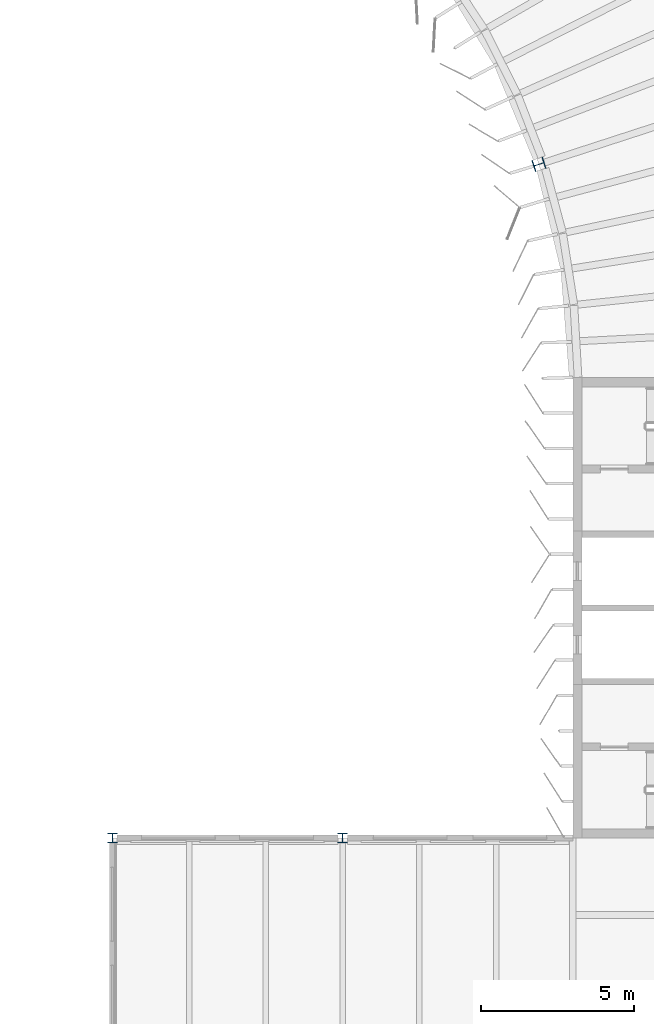
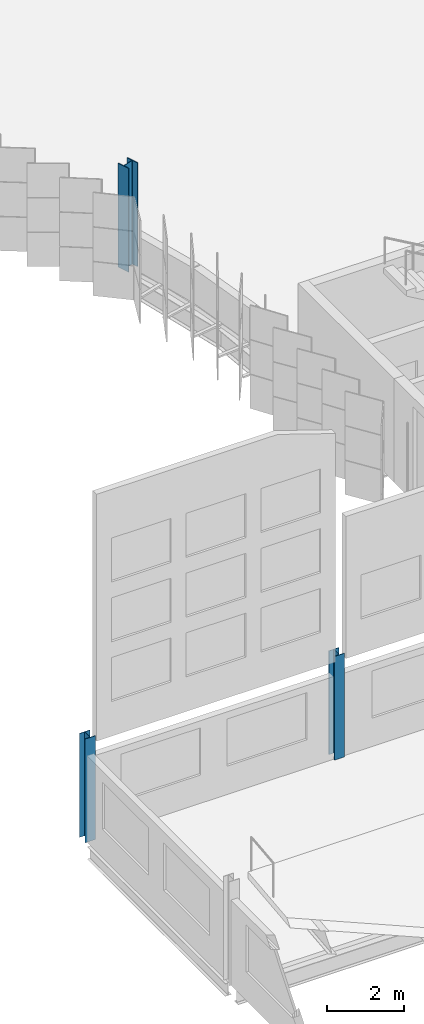
# One storey, part 19 of 199: 3 columns.
"""IFC4 building model written with IfcOpenShell, lengths in metres."""

from ifc_helpers import new_model, si_unit, direction, frame, origin, origin_2d, place, context, subcontext, project, spatial, i_section, extrude, material, material_profile, profile_set, type_object, element, save


model = new_model("IFC4")

# Units and contexts
model_context = context("Model", 3, precision=1e-05, world=origin(), true_north=direction((0.0, 1.0)))
body_context = subcontext(model_context, "Body", "Model", "MODEL_VIEW")
ifc_project = project(units=[si_unit("LENGTHUNIT", "METRE"), si_unit("AREAUNIT", "SQUARE_METRE"), si_unit("VOLUMEUNIT", "CUBIC_METRE"), si_unit("PLANEANGLEUNIT", "RADIAN"), si_unit("MASSUNIT", "GRAM", prefix="KILO")], contexts=[model_context])

# Site, building, storey
site_placement = place(None, origin())
site = spatial("IfcSite", under=ifc_project, at=site_placement, CompositionType="ELEMENT")
building_placement = place(site_placement, origin())
building = spatial("IfcBuilding", under=site, at=building_placement, Name="Parallax Yard Mobility Hub", CompositionType="ELEMENT")
storey_placement = place(building_placement, frame((0.0, 0.0, 9.89990234375)))
storey = spatial("IfcBuildingStorey", under=building, at=storey_placement, Name="L03", CompositionType="ELEMENT", Elevation=9.89990234375)

# Columns
ifc_material = material(Name="Steel ASTM A992", Category="steel")
ifc_material_profile_1 = material_profile(ifc_material, i_section(OverallWidth=0.304931640625, OverallDepth=0.306884765625, WebThickness=0.010009765625, FlangeThickness=0.015380859375, FilletRadius=0.01513671875, at=origin_2d()), Name="W310x97")
ifc_profile_set_1 = profile_set([ifc_material_profile_1], Name="Steel ASTM A992")
column_type_1 = type_object("IfcColumnType", Name="W310x97 column", PredefinedType="COLUMN", material=ifc_profile_set_1)
for number, where, z_axis, x_axis, name in (
    (1, (180.0, 75.0, 0.0), (0.0, 0.0, 1.0), (1.0, 0.0, 0.0), "Column C1 level L03 at L/25 of ramp house"),
    (2, (187.5, 75.0, 0.0), (0.0, 0.0, 1.0), (1.0, 0.0, 0.0), "Column C1 level L03 at L/26 of ramp house"),
):
    element("IfcColumn", number, at=place(storey_placement, frame(where, z_axis=z_axis, x_axis=x_axis)), inside=storey, type_object=column_type_1, Name=name, PredefinedType="COLUMN", context=body_context, shape_type="SweptSolid", body=[
        extrude(i_section(OverallWidth=0.304931640625, OverallDepth=0.306884765625, WebThickness=0.010009765625, FlangeThickness=0.015380859375, FilletRadius=0.01513671875, at=origin_2d()), origin(), (0.0, 0.0, 1.0), 3.300048828125),
    ])
ifc_material_profile_2 = material_profile(ifc_material, i_section(OverallWidth=0.373046875, OverallDepth=0.367919921875, WebThickness=0.014892578125, FlangeThickness=0.02392578125, FilletRadius=0.01513671875, at=origin_2d()), Name="W360x179")
ifc_profile_set_2 = profile_set([ifc_material_profile_2], Name="Steel ASTM A992")
column_type_2 = type_object("IfcColumnType", Name="W360x179 column", PredefinedType="COLUMN", material=ifc_profile_set_2)
column_placement = place(storey_placement, frame((193.898681640625, 96.952880859375, 0.0), z_axis=(0.0, 0.0, 1.0), x_axis=(-0.309016994375, 0.951056516295, 0.0)))
element("IfcColumn", 3, at=column_placement, inside=storey, type_object=column_type_2, Name="Column C7 level L03 at RA/R8 of ramped parking decks", PredefinedType="COLUMN", context=body_context, shape_type="SweptSolid", body=[
    extrude(i_section(OverallWidth=0.373046875, OverallDepth=0.367919921875, WebThickness=0.014892578125, FlangeThickness=0.02392578125, FilletRadius=0.01513671875, at=origin_2d()), origin(), (0.0, 0.0, 1.0), 3.300048828125),
])

save(model, "model.ifc")
